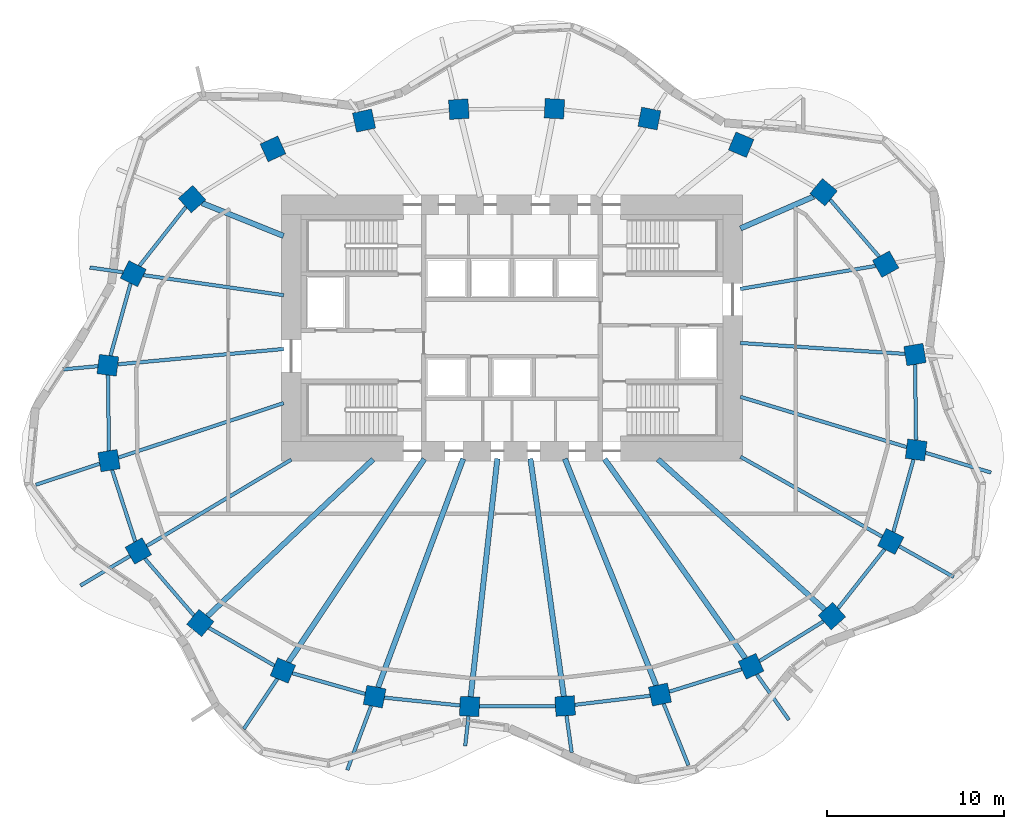
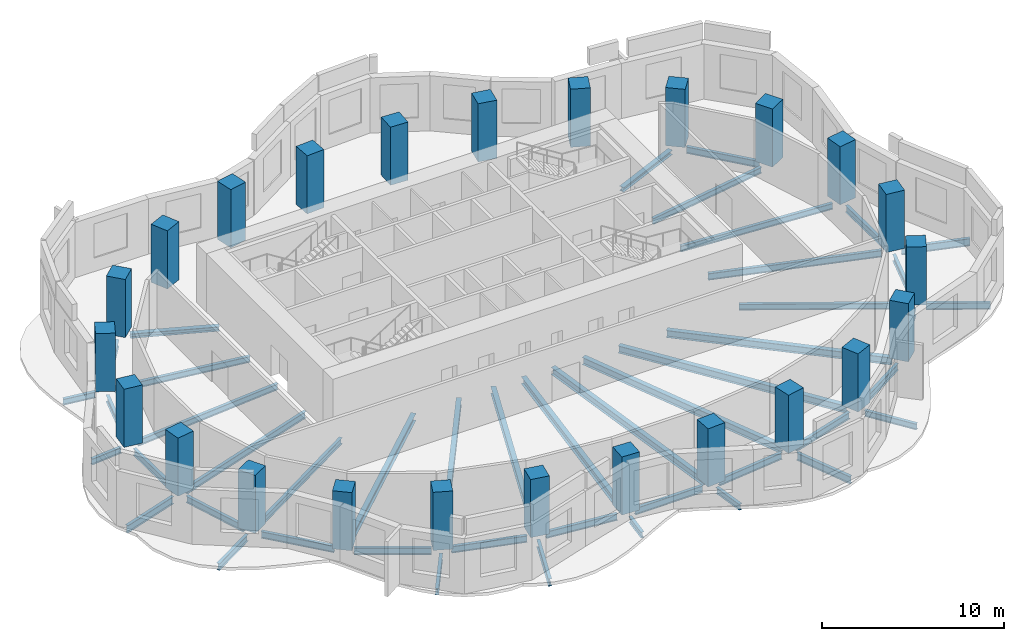
# One storey, part 1 of 8: 46 beams, 24 columns.
"""IFC4 building model written with IfcOpenShell, lengths in metres."""

from ifc_helpers import new_model, si_unit, direction, frame, origin, origin_2d, place, context, subcontext, project, spatial, rectangle, i_section, extrude, material, material_profile, profile_set, type_object, element, save


model = new_model("IFC4")

# Units and contexts
model_context = context("Model", 3, precision=1e-05, world=origin(), true_north=direction((0.0, 1.0)))
body_context = subcontext(model_context, "Body", "Model", "MODEL_VIEW")
ifc_project = project(units=[si_unit("LENGTHUNIT", "METRE"), si_unit("AREAUNIT", "SQUARE_METRE"), si_unit("VOLUMEUNIT", "CUBIC_METRE"), si_unit("PLANEANGLEUNIT", "RADIAN"), si_unit("MASSUNIT", "GRAM", prefix="KILO")], contexts=[model_context])

# Site, building, storey
site_placement = place(None, origin())
site = spatial("IfcSite", under=ifc_project, at=site_placement, CompositionType="ELEMENT")
building_placement = place(site_placement, origin())
building = spatial("IfcBuilding", under=site, at=building_placement, Name="Rubra Terraces Tower", CompositionType="ELEMENT")
storey_placement = place(building_placement, frame((0.0, 0.0, 150.0)))
storey = spatial("IfcBuildingStorey", under=building, at=storey_placement, Name="L36", CompositionType="ELEMENT", Elevation=150.0)

# Columns
ifc_material_1 = material(Name="Concrete C50", Category="concrete")
ifc_material_profile_1 = material_profile(ifc_material_1, rectangle(XDim=1.10009765625, YDim=1.10009765625, at=origin_2d()), Name="RC 1100x1100")
ifc_profile_set_1 = profile_set([ifc_material_profile_1], Name="Concrete C50")
column_type = type_object("IfcColumnType", Name="RING COLUMN RC 1100x1100 C50", PredefinedType="COLUMN", material=ifc_profile_set_1)
for number, where, z_axis, x_axis, name in (
    (1, (22.73388671875, 2.992919921875, 0.0), (0.0, 0.0, 1.0), (-0.162062155721, 0.986780551938, 0.0), "column-L36-ring-01"),
    (2, (21.0810546875, 8.090087890625, 0.0), (0.0, 0.0, 1.0), (-0.490161823029, 0.8716314515, 0.0), "column-L36-ring-02"),
    (3, (17.583984375, 12.15087890625, 0.0), (0.0, 0.0, 1.0), (-0.770679191336, 0.637223339216, 0.0), "column-L36-ring-03"),
    (4, (12.927001953125, 14.83203125, 0.0), (0.0, 0.0, 1.0), (-0.92110553102, 0.389312985558, 0.0), "column-L36-ring-04"),
    (5, (7.7509765625, 16.306884765625, 0.0), (0.0, 0.0, 1.0), (-0.981936574306, 0.189210369799, 0.0), "column-L36-ring-05"),
    (6, (2.39208984375, 16.862060546875, 0.0), (0.0, 0.0, 1.0), (-0.998791416829, 0.049149828786, 0.0), "column-L36-ring-06"),
    (7, (-2.9990234375, 16.8359375, 0.0), (0.0, 0.0, 1.0), (-0.998059443319, -0.062268351524, 0.0), "column-L36-ring-07"),
    (8, (-8.346923828125, 16.19189453125, 0.0), (0.0, 0.0, 1.0), (-0.977944102772, -0.208866780156, 0.0), "column-L36-ring-08"),
    (9, (-13.487060546875, 14.595947265625, 0.0), (0.0, 0.0, 1.0), (-0.90972649622, -0.415208022652, 0.0), "column-L36-ring-09"),
    (10, (-18.051025390625, 11.762939453125, 0.0), (0.0, 0.0, 1.0), (-0.7456420961, -0.66634665492, 0.0), "column-L36-ring-10"),
    (11, (-21.366943359375, 7.553955078125, 0.0), (0.0, 0.0, 1.0), (-0.452078869866, -0.891977968013, 0.0), "column-L36-ring-11"),
    (12, (-22.802001953125, 2.388916015625, 0.0), (0.0, 0.0, 1.0), (-0.128535191473, -0.991704948336, 0.0), "column-L36-ring-12"),
    (13, (-22.73388671875, -2.992919921875, 0.0), (0.0, 0.0, 1.0), (0.162062155721, -0.986780551938, 0.0), "column-L36-ring-13"),
    (14, (-21.0810546875, -8.090087890625, 0.0), (0.0, 0.0, 1.0), (0.490161823029, -0.8716314515, 0.0), "column-L36-ring-14"),
    (15, (-17.583984375, -12.15087890625, 0.0), (0.0, 0.0, 1.0), (0.770679191336, -0.637223339216, 0.0), "column-L36-ring-15"),
    (16, (-12.927001953125, -14.83203125, 0.0), (0.0, 0.0, 1.0), (0.92110553102, -0.389312985558, 0.0), "column-L36-ring-16"),
    (17, (-7.7509765625, -16.306884765625, 0.0), (0.0, 0.0, 1.0), (0.981936574306, -0.189210369799, 0.0), "column-L36-ring-17"),
    (18, (-2.39208984375, -16.862060546875, 0.0), (0.0, 0.0, 1.0), (0.998791416829, -0.049149828786, 0.0), "column-L36-ring-18"),
    (19, (2.9990234375, -16.8359375, 0.0), (0.0, 0.0, 1.0), (0.998059443319, 0.062268351524, 0.0), "column-L36-ring-19"),
    (20, (8.346923828125, -16.19189453125, 0.0), (0.0, 0.0, 1.0), (0.977944102772, 0.208866780156, 0.0), "column-L36-ring-20"),
    (21, (13.487060546875, -14.595947265625, 0.0), (0.0, 0.0, 1.0), (0.90972649622, 0.415208022652, 0.0), "column-L36-ring-21"),
    (22, (18.051025390625, -11.762939453125, 0.0), (0.0, 0.0, 1.0), (0.7456420961, 0.66634665492, 0.0), "column-L36-ring-22"),
    (23, (21.366943359375, -7.553955078125, 0.0), (0.0, 0.0, 1.0), (0.452078869866, 0.891977968013, 0.0), "column-L36-ring-23"),
    (24, (22.802001953125, -2.388916015625, 0.0), (0.0, 0.0, 1.0), (0.128535191473, 0.991704948336, 0.0), "column-L36-ring-24"),
):
    element("IfcColumn", number, at=place(storey_placement, frame(where, z_axis=z_axis, x_axis=x_axis)), inside=storey, type_object=column_type, Name=name, PredefinedType="COLUMN", context=body_context, shape_type="SweptSolid", body=[
        extrude(rectangle(XDim=1.10009765625, YDim=1.10009765625, at=origin_2d()), origin(), (0.0, 0.0, 1.0), 3.89990234375),
    ])

# Beams
ifc_material_2 = material(Name="Steel Q355B", Category="steel")
ifc_material_profile_2 = material_profile(ifc_material_2, i_section(OverallWidth=0.199951171875, OverallDepth=0.39990234375, WebThickness=0.008056640625, FlangeThickness=0.012939453125, at=origin_2d()), Name="HN 400x200x8x13")
ifc_profile_set_2 = profile_set([ifc_material_profile_2], Name="Steel Q355B")
beam_type_1 = type_object("IfcBeamType", Name="CANTILEVER BEAM HN 400x200x8x13", PredefinedType="BEAM", material=ifc_profile_set_2)
beam_1_placement = place(storey_placement, frame((-21.94189453125, 7.635986328125, -0.39990234375), z_axis=(-0.989957217172, 0.14136728111, 0.0), x_axis=(-0.14136728111, -0.989957217172, 0.0)))
element("IfcBeam", 25, at=beam_1_placement, inside=storey, type_object=beam_type_1, Name="beam-L36-cant-11", PredefinedType="BEAM", context=body_context, shape_type="SweptSolid", body=[
    extrude(i_section(OverallWidth=0.199951171875, OverallDepth=0.39990234375, WebThickness=0.008056640625, FlangeThickness=0.012939453125, at=origin_2d()), origin(), (0.0, 0.0, 1.0), 1.896240234375),
])
beam_2_placement = place(storey_placement, frame((-23.363037109375, 2.3369140625, -0.39990234375), z_axis=(-0.995740464774, -0.092200470777, 0.0), x_axis=(0.092200470777, -0.995740464774, 0.0)))
element("IfcBeam", 26, at=beam_2_placement, inside=storey, type_object=beam_type_1, Name="beam-L36-cant-12", PredefinedType="BEAM", context=body_context, shape_type="SweptSolid", body=[
    extrude(i_section(OverallWidth=0.199951171875, OverallDepth=0.39990234375, WebThickness=0.008056640625, FlangeThickness=0.012939453125, at=origin_2d()), origin(), (0.0, 0.0, 1.0), 1.9833984375),
])
beam_3_placement = place(storey_placement, frame((-2.452880859375, -17.409912109375, -0.39990234375), z_axis=(-0.111841087875, -0.99372610465, 0.0), x_axis=(0.99372610465, -0.111841087875, 0.0)))
element("IfcBeam", 27, at=beam_3_placement, inside=storey, type_object=beam_type_1, Name="beam-L36-cant-18", PredefinedType="BEAM", context=body_context, shape_type="SweptSolid", body=[
    extrude(i_section(OverallWidth=0.199951171875, OverallDepth=0.39990234375, WebThickness=0.008056640625, FlangeThickness=0.012939453125, at=origin_2d()), origin(), (0.0, 0.0, 1.0), 1.691650390625),
])
beam_4_placement = place(storey_placement, frame((3.075927734375, -17.382080078125, -0.39990234375), z_axis=(0.138892400729, -0.990307478019, 0.0), x_axis=(0.990307478019, 0.138892400729, 0.0)))
element("IfcBeam", 28, at=beam_4_placement, inside=storey, type_object=beam_type_1, Name="beam-L36-cant-19", PredefinedType="BEAM", context=body_context, shape_type="SweptSolid", body=[
    extrude(i_section(OverallWidth=0.199951171875, OverallDepth=0.39990234375, WebThickness=0.008056640625, FlangeThickness=0.012939453125, at=origin_2d()), origin(), (0.0, 0.0, 1.0), 2.09521484375),
])
beam_5_placement = place(storey_placement, frame((13.81005859375, -15.052978515625, -0.39990234375), z_axis=(0.576664894768, -0.816980782603, 0.0), x_axis=(0.816980782603, 0.576664894768, 0.0)))
element("IfcBeam", 29, at=beam_5_placement, inside=storey, type_object=beam_type_1, Name="beam-L36-cant-21", PredefinedType="BEAM", context=body_context, shape_type="SweptSolid", body=[
    extrude(i_section(OverallWidth=0.199951171875, OverallDepth=0.39990234375, WebThickness=0.008056640625, FlangeThickness=0.012939453125, at=origin_2d()), origin(), (0.0, 0.0, 1.0), 3.142333984375),
])
ifc_material_profile_3 = material_profile(ifc_material_2, i_section(OverallWidth=0.198974609375, OverallDepth=0.446044921875, WebThickness=0.008056640625, FlangeThickness=0.011962890625, at=origin_2d()), Name="HN 446x199x8x12")
ifc_profile_set_3 = profile_set([ifc_material_profile_3], Name="Steel Q355B")
beam_type_2 = type_object("IfcBeamType", Name="CANTILEVER BEAM HN 446x199x8x12", PredefinedType="BEAM", material=ifc_profile_set_3)
beam_6_placement = place(storey_placement, frame((-21.552978515625, -8.3720703125, -0.423095703125), z_axis=(-0.858497399832, -0.512817915523, 0.0), x_axis=(0.512817915523, -0.858497399832, 0.0)))
element("IfcBeam", 30, at=beam_6_placement, inside=storey, type_object=beam_type_2, Name="beam-L36-cant-14", PredefinedType="BEAM", context=body_context, shape_type="SweptSolid", body=[
    extrude(i_section(OverallWidth=0.198974609375, OverallDepth=0.446044921875, WebThickness=0.008056640625, FlangeThickness=0.011962890625, at=origin_2d()), origin(), (0.0, 0.0, 1.0), 3.25439453125),
])
beam_7_placement = place(storey_placement, frame((-13.238037109375, -15.298095703125, -0.423095703125), z_axis=(-0.556154412796, -0.831078978875, 0.0), x_axis=(0.831078978875, -0.556154412796, 0.0)))
element("IfcBeam", 31, at=beam_7_placement, inside=storey, type_object=beam_type_2, Name="beam-L36-cant-16", PredefinedType="BEAM", context=body_context, shape_type="SweptSolid", body=[
    extrude(i_section(OverallWidth=0.198974609375, OverallDepth=0.446044921875, WebThickness=0.008056640625, FlangeThickness=0.011962890625, at=origin_2d()), origin(), (0.0, 0.0, 1.0), 3.407470703125),
])
beam_8_placement = place(storey_placement, frame((21.846923828125, -7.824951171875, -0.423095703125), z_axis=(0.870998946477, -0.491284881953, 0.0), x_axis=(0.491284881953, 0.870998946477, 0.0)))
element("IfcBeam", 32, at=beam_8_placement, inside=storey, type_object=beam_type_2, Name="beam-L36-cant-23", PredefinedType="BEAM", context=body_context, shape_type="SweptSolid", body=[
    extrude(i_section(OverallWidth=0.198974609375, OverallDepth=0.446044921875, WebThickness=0.008056640625, FlangeThickness=0.011962890625, at=origin_2d()), origin(), (0.0, 0.0, 1.0), 3.53173828125),
])
ifc_material_profile_4 = material_profile(ifc_material_2, i_section(OverallWidth=0.198974609375, OverallDepth=0.49609375, WebThickness=0.009033203125, FlangeThickness=0.013916015625, at=origin_2d()), Name="HN 496x199x9x14")
ifc_profile_set_4 = profile_set([ifc_material_profile_4], Name="Steel Q355B")
beam_type_3 = type_object("IfcBeamType", Name="CANTILEVER BEAM HN 496x199x9x14", PredefinedType="BEAM", material=ifc_profile_set_4)
beam_9_placement = place(storey_placement, frame((-23.262939453125, -3.1669921875, -0.447998046875), z_axis=(-0.9497331334, -0.313060657575, 0.0), x_axis=(0.313060657575, -0.9497331334, 0.0)))
element("IfcBeam", 33, at=beam_9_placement, inside=storey, type_object=beam_type_3, Name="beam-L36-cant-13", PredefinedType="BEAM", context=body_context, shape_type="SweptSolid", body=[
    extrude(i_section(OverallWidth=0.198974609375, OverallDepth=0.49609375, WebThickness=0.009033203125, FlangeThickness=0.013916015625, at=origin_2d()), origin(), (0.0, 0.0, 1.0), 3.794677734375),
])
beam_10_placement = place(storey_placement, frame((-7.946044921875, -16.830078125, -0.447998046875), z_axis=(-0.34900656009, -0.937120280975, 0.0), x_axis=(0.937120280975, -0.34900656009, 0.0)))
element("IfcBeam", 34, at=beam_10_placement, inside=storey, type_object=beam_type_3, Name="beam-L36-cant-17", PredefinedType="BEAM", context=body_context, shape_type="SweptSolid", body=[
    extrude(i_section(OverallWidth=0.198974609375, OverallDepth=0.49609375, WebThickness=0.009033203125, FlangeThickness=0.013916015625, at=origin_2d()), origin(), (0.0, 0.0, 1.0), 3.8564453125),
])
beam_11_placement = place(storey_placement, frame((8.555908203125, -16.7099609375, -0.447998046875), z_axis=(0.374103362082, -0.927387014401, 0.0), x_axis=(0.927387014401, 0.374103362082, 0.0)))
element("IfcBeam", 35, at=beam_11_placement, inside=storey, type_object=beam_type_3, Name="beam-L36-cant-20", PredefinedType="BEAM", context=body_context, shape_type="SweptSolid", body=[
    extrude(i_section(OverallWidth=0.198974609375, OverallDepth=0.49609375, WebThickness=0.009033203125, FlangeThickness=0.013916015625, at=origin_2d()), origin(), (0.0, 0.0, 1.0), 3.737548828125),
])
beam_12_placement = place(storey_placement, frame((23.3359375, -2.550048828125, -0.447998046875), z_axis=(0.957272539744, -0.289187283006, 0.0), x_axis=(0.289187283006, 0.957272539744, 0.0)))
element("IfcBeam", 36, at=beam_12_placement, inside=storey, type_object=beam_type_3, Name="beam-L36-cant-24", PredefinedType="BEAM", context=body_context, shape_type="SweptSolid", body=[
    extrude(i_section(OverallWidth=0.198974609375, OverallDepth=0.49609375, WebThickness=0.009033203125, FlangeThickness=0.013916015625, at=origin_2d()), origin(), (0.0, 0.0, 1.0), 3.85888671875),
])
ifc_material_profile_5 = material_profile(ifc_material_2, i_section(OverallWidth=0.300048828125, OverallDepth=0.48193359375, WebThickness=0.010986328125, FlangeThickness=0.014892578125, at=origin_2d()), Name="HM 482x300x11x15")
ifc_profile_set_5 = profile_set([ifc_material_profile_5], Name="Steel Q355B")
beam_type_4 = type_object("IfcBeamType", Name="FLOOR BEAM HM 482x300x11x15", PredefinedType="BEAM", material=ifc_profile_set_5)
beam_13_placement = place(storey_placement, frame((-17.181884765625, -11.77001953125, -0.44091796875), z_axis=(0.726100153208, 0.687588952436, 0.0), x_axis=(-0.687588952436, 0.726100153208, 0.0)))
element("IfcBeam", 37, at=beam_13_placement, inside=storey, type_object=beam_type_4, Name="beam-L36-floor-15", PredefinedType="BEAM", context=body_context, shape_type="SweptSolid", body=[
    extrude(i_section(OverallWidth=0.300048828125, OverallDepth=0.48193359375, WebThickness=0.010986328125, FlangeThickness=0.014892578125, at=origin_2d()), origin(), (0.0, 0.0, 1.0), 12.87548828125),
])
beam_14_placement = place(storey_placement, frame((-12.615966796875, -14.365966796875, -0.44091796875), z_axis=(0.555900449773, 0.831248873649, 0.0), x_axis=(-0.831248873649, 0.555900449773, 0.0)))
element("IfcBeam", 38, at=beam_14_placement, inside=storey, type_object=beam_type_4, Name="beam-L36-floor-16", PredefinedType="BEAM", context=body_context, shape_type="SweptSolid", body=[
    extrude(i_section(OverallWidth=0.300048828125, OverallDepth=0.48193359375, WebThickness=0.010986328125, FlangeThickness=0.014892578125, at=origin_2d()), origin(), (0.0, 0.0, 1.0), 13.793701171875),
])
beam_15_placement = place(storey_placement, frame((-7.555908203125, -15.783935546875, -0.44091796875), z_axis=(0.349081226263, 0.937092470075, 0.0), x_axis=(-0.937092470075, 0.349081226263, 0.0)))
element("IfcBeam", 39, at=beam_15_placement, inside=storey, type_object=beam_type_4, Name="beam-L36-floor-17", PredefinedType="BEAM", context=body_context, shape_type="SweptSolid", body=[
    extrude(i_section(OverallWidth=0.300048828125, OverallDepth=0.48193359375, WebThickness=0.010986328125, FlangeThickness=0.014892578125, at=origin_2d()), origin(), (0.0, 0.0, 1.0), 13.76171875),
])
beam_16_placement = place(storey_placement, frame((-2.3310546875, -16.31396484375, -0.44091796875), z_axis=(0.111351311584, 0.993781105379, 0.0), x_axis=(-0.993781105379, 0.111351311584, 0.0)))
element("IfcBeam", 40, at=beam_16_placement, inside=storey, type_object=beam_type_4, Name="beam-L36-floor-18", PredefinedType="BEAM", context=body_context, shape_type="SweptSolid", body=[
    extrude(i_section(OverallWidth=0.300048828125, OverallDepth=0.48193359375, WebThickness=0.010986328125, FlangeThickness=0.014892578125, at=origin_2d()), origin(), (0.0, 0.0, 1.0), 13.516845703125),
])
beam_17_placement = place(storey_placement, frame((2.922119140625, -16.2900390625, -0.44091796875), z_axis=(-0.139139078011, 0.990272849759, 0.0), x_axis=(-0.990272849759, -0.139139078011, 0.0)))
element("IfcBeam", 41, at=beam_17_placement, inside=storey, type_object=beam_type_4, Name="beam-L36-floor-19", PredefinedType="BEAM", context=body_context, shape_type="SweptSolid", body=[
    extrude(i_section(OverallWidth=0.300048828125, OverallDepth=0.48193359375, WebThickness=0.010986328125, FlangeThickness=0.014892578125, at=origin_2d()), origin(), (0.0, 0.0, 1.0), 13.54052734375),
])
beam_18_placement = place(storey_placement, frame((8.137939453125, -15.674072265625, -0.44091796875), z_axis=(-0.374072995757, 0.927399263449, 0.0), x_axis=(-0.927399263449, -0.374072995757, 0.0)))
element("IfcBeam", 42, at=beam_18_placement, inside=storey, type_object=beam_type_4, Name="beam-L36-floor-20", PredefinedType="BEAM", context=body_context, shape_type="SweptSolid", body=[
    extrude(i_section(OverallWidth=0.300048828125, OverallDepth=0.48193359375, WebThickness=0.010986328125, FlangeThickness=0.014892578125, at=origin_2d()), origin(), (0.0, 0.0, 1.0), 13.7861328125),
])
beam_19_placement = place(storey_placement, frame((13.1640625, -14.138916015625, -0.44091796875), z_axis=(-0.576885242087, 0.816825206187, 0.0), x_axis=(-0.816825206187, -0.576885242087, 0.0)))
element("IfcBeam", 43, at=beam_19_placement, inside=storey, type_object=beam_type_4, Name="beam-L36-floor-21", PredefinedType="BEAM", context=body_context, shape_type="SweptSolid", body=[
    extrude(i_section(OverallWidth=0.300048828125, OverallDepth=0.48193359375, WebThickness=0.010986328125, FlangeThickness=0.014892578125, at=origin_2d()), origin(), (0.0, 0.0, 1.0), 13.756591796875),
])
beam_20_placement = place(storey_placement, frame((17.639892578125, -11.39306640625, -0.44091796875), z_axis=(-0.742946892742, 0.669350367569, 0.0), x_axis=(-0.669350367569, -0.742946892742, 0.0)))
element("IfcBeam", 44, at=beam_20_placement, inside=storey, type_object=beam_type_4, Name="beam-L36-floor-22", PredefinedType="BEAM", context=body_context, shape_type="SweptSolid", body=[
    extrude(i_section(OverallWidth=0.300048828125, OverallDepth=0.48193359375, WebThickness=0.010986328125, FlangeThickness=0.014892578125, at=origin_2d()), origin(), (0.0, 0.0, 1.0), 12.65869140625),
])
ifc_material_profile_6 = material_profile(ifc_material_2, i_section(OverallWidth=0.199951171875, OverallDepth=0.39990234375, WebThickness=0.008056640625, FlangeThickness=0.012939453125, at=origin_2d()), Name="HN 400x200x8x13")
ifc_profile_set_6 = profile_set([ifc_material_profile_6], Name="Steel Q355B")
beam_type_5 = type_object("IfcBeamType", Name="FLOOR BEAM HN 400x200x8x13", PredefinedType="BEAM", material=ifc_profile_set_6)
beam_21_placement = place(storey_placement, frame((22.169921875, 3.030029296875, -0.39990234375), z_axis=(-0.997809110543, 0.0661587403, 0.0), x_axis=(-0.0661587403, -0.997809110543, 0.0)))
element("IfcBeam", 45, at=beam_21_placement, inside=storey, type_object=beam_type_5, Name="beam-L36-floor-01", PredefinedType="BEAM", context=body_context, shape_type="SweptSolid", body=[
    extrude(i_section(OverallWidth=0.199951171875, OverallDepth=0.39990234375, WebThickness=0.008056640625, FlangeThickness=0.012939453125, at=origin_2d()), origin(), (0.0, 0.0, 1.0), 9.310546875),
])
beam_22_placement = place(storey_placement, frame((20.5048828125, 7.991943359375, -0.39990234375), z_axis=(-0.985813612303, -0.167843742209, 0.0), x_axis=(0.167843742209, -0.985813612303, 0.0)))
element("IfcBeam", 46, at=beam_22_placement, inside=storey, type_object=beam_type_5, Name="beam-L36-floor-02", PredefinedType="BEAM", context=body_context, shape_type="SweptSolid", body=[
    extrude(i_section(OverallWidth=0.199951171875, OverallDepth=0.39990234375, WebThickness=0.008056640625, FlangeThickness=0.012939453125, at=origin_2d()), origin(), (0.0, 0.0, 1.0), 7.732421875),
])
beam_23_placement = place(storey_placement, frame((-20.7919921875, 7.471923828125, -0.39990234375), z_axis=(0.989936658262, -0.141511174924, 0.0), x_axis=(0.141511174924, 0.989936658262, 0.0)))
element("IfcBeam", 47, at=beam_23_placement, inside=storey, type_object=beam_type_5, Name="beam-L36-floor-11", PredefinedType="BEAM", context=body_context, shape_type="SweptSolid", body=[
    extrude(i_section(OverallWidth=0.199951171875, OverallDepth=0.39990234375, WebThickness=0.008056640625, FlangeThickness=0.012939453125, at=origin_2d()), origin(), (0.0, 0.0, 1.0), 7.9912109375),
])
beam_24_placement = place(storey_placement, frame((-22.240966796875, 2.44091796875, -0.39990234375), z_axis=(0.995735462061, 0.092254482791, 0.0), x_axis=(-0.092254482791, 0.995735462061, 0.0)))
element("IfcBeam", 48, at=beam_24_placement, inside=storey, type_object=beam_type_5, Name="beam-L36-floor-12", PredefinedType="BEAM", context=body_context, shape_type="SweptSolid", body=[
    extrude(i_section(OverallWidth=0.199951171875, OverallDepth=0.39990234375, WebThickness=0.008056640625, FlangeThickness=0.012939453125, at=origin_2d()), origin(), (0.0, 0.0, 1.0), 9.39990234375),
])
beam_25_placement = place(storey_placement, frame((-20.60888671875, -7.80810546875, -0.39990234375), z_axis=(0.858520950698, 0.51277848747, 0.0), x_axis=(-0.51277848747, 0.858520950698, 0.0)))
element("IfcBeam", 49, at=beam_25_placement, inside=storey, type_object=beam_type_5, Name="beam-L36-floor-14", PredefinedType="BEAM", context=body_context, shape_type="SweptSolid", body=[
    extrude(i_section(OverallWidth=0.199951171875, OverallDepth=0.39990234375, WebThickness=0.008056640625, FlangeThickness=0.012939453125, at=origin_2d()), origin(), (0.0, 0.0, 1.0), 9.49755859375),
])
beam_26_placement = place(storey_placement, frame((20.886962890625, -7.282958984375, -0.39990234375), z_axis=(-0.870988685804, 0.491303072656, 0.0), x_axis=(-0.491303072656, -0.870988685804, 0.0)))
element("IfcBeam", 50, at=beam_26_placement, inside=storey, type_object=beam_type_5, Name="beam-L36-floor-23", PredefinedType="BEAM", context=body_context, shape_type="SweptSolid", body=[
    extrude(i_section(OverallWidth=0.199951171875, OverallDepth=0.39990234375, WebThickness=0.008056640625, FlangeThickness=0.012939453125, at=origin_2d()), origin(), (0.0, 0.0, 1.0), 9.17578125),
])
ifc_material_profile_7 = material_profile(ifc_material_2, i_section(OverallWidth=0.198974609375, OverallDepth=0.446044921875, WebThickness=0.008056640625, FlangeThickness=0.011962890625, at=origin_2d()), Name="HN 446x199x8x12")
ifc_profile_set_7 = profile_set([ifc_material_profile_7], Name="Steel Q355B")
beam_type_6 = type_object("IfcBeamType", Name="FLOOR BEAM HN 446x199x8x12", PredefinedType="BEAM", material=ifc_profile_set_7)
beam_27_placement = place(storey_placement, frame((-22.205078125, -2.819091796875, -0.423095703125), z_axis=(0.949728041792, 0.313076103583, 0.0), x_axis=(-0.313076103583, 0.949728041792, 0.0)))
element("IfcBeam", 51, at=beam_27_placement, inside=storey, type_object=beam_type_6, Name="beam-L36-floor-13", PredefinedType="BEAM", context=body_context, shape_type="SweptSolid", body=[
    extrude(i_section(OverallWidth=0.198974609375, OverallDepth=0.446044921875, WebThickness=0.008056640625, FlangeThickness=0.011962890625, at=origin_2d()), origin(), (0.0, 0.0, 1.0), 9.8125),
])
beam_28_placement = place(storey_placement, frame((22.26806640625, -2.22802734375, -0.423095703125), z_axis=(-0.957261634756, 0.289223378419, 0.0), x_axis=(-0.289223378419, -0.957261634756, 0.0)))
element("IfcBeam", 52, at=beam_28_placement, inside=storey, type_object=beam_type_6, Name="beam-L36-floor-24", PredefinedType="BEAM", context=body_context, shape_type="SweptSolid", body=[
    extrude(i_section(OverallWidth=0.198974609375, OverallDepth=0.446044921875, WebThickness=0.008056640625, FlangeThickness=0.011962890625, at=origin_2d()), origin(), (0.0, 0.0, 1.0), 9.802001953125),
])
ifc_material_profile_8 = material_profile(ifc_material_2, i_section(OverallWidth=0.304931640625, OverallDepth=0.300048828125, WebThickness=0.014892578125, FlangeThickness=0.014892578125, at=origin_2d()), Name="HW 300x305x15x15")
ifc_profile_set_8 = profile_set([ifc_material_profile_8], Name="Steel Q355B")
beam_type_7 = type_object("IfcBeamType", Name="FLOOR BEAM HW 300x305x15x15", PredefinedType="BEAM", material=ifc_profile_set_8)
beam_29_placement = place(storey_placement, frame((17.01806640625, 11.905029296875, -0.35009765625), z_axis=(-0.916965704309, -0.398966035047, 0.0), x_axis=(0.398966035047, -0.916965704309, 0.0)))
element("IfcBeam", 53, at=beam_29_placement, inside=storey, type_object=beam_type_7, Name="beam-L36-floor-03", PredefinedType="BEAM", context=body_context, shape_type="SweptSolid", body=[
    extrude(i_section(OverallWidth=0.304931640625, OverallDepth=0.300048828125, WebThickness=0.014892578125, FlangeThickness=0.014892578125, at=origin_2d()), origin(), (0.0, 0.0, 1.0), 4.501953125),
])
beam_30_placement = place(storey_placement, frame((-17.48193359375, 11.533935546875, -0.35009765625), z_axis=(0.927730023822, -0.373251929533, 0.0), x_axis=(0.373251929533, 0.927730023822, 0.0)))
element("IfcBeam", 54, at=beam_30_placement, inside=storey, type_object=beam_type_7, Name="beam-L36-floor-10", PredefinedType="BEAM", context=body_context, shape_type="SweptSolid", body=[
    extrude(i_section(OverallWidth=0.304931640625, OverallDepth=0.300048828125, WebThickness=0.014892578125, FlangeThickness=0.014892578125, at=origin_2d()), origin(), (0.0, 0.0, 1.0), 4.950927734375),
])
ifc_material_profile_9 = material_profile(ifc_material_2, i_section(OverallWidth=0.198974609375, OverallDepth=0.446044921875, WebThickness=0.008056640625, FlangeThickness=0.011962890625, at=origin_2d()), Name="HN 446x199x8x12")
ifc_profile_set_9 = profile_set([ifc_material_profile_9], Name="Steel Q355B")
beam_type_8 = type_object("IfcBeamType", Name="SPANDREL BEAM HN 446x199x8x12", PredefinedType="SPANDREL", material=ifc_profile_set_9)
beam_31_placement = place(storey_placement, frame((20.715087890625, 8.514892578125, -0.423095703125), z_axis=(-0.65255344008, 0.757742705567, 0.0), x_axis=(-0.757742705567, -0.65255344008, 0.0)))
element("IfcBeam", 55, at=beam_31_placement, inside=storey, type_object=beam_type_8, Name="beam-L36-spandrel-02", PredefinedType="SPANDREL", context=body_context, shape_type="SweptSolid", body=[
    extrude(i_section(OverallWidth=0.198974609375, OverallDepth=0.446044921875, WebThickness=0.008056640625, FlangeThickness=0.011962890625, at=origin_2d()), origin(), (0.0, 0.0, 1.0), 4.240478515625),
])
beam_32_placement = place(storey_placement, frame((-18.39697265625, 11.323974609375, -0.423095703125), z_axis=(-0.618917461688, -0.785456030353, 0.0), x_axis=(0.785456030353, -0.618917461688, 0.0)))
element("IfcBeam", 56, at=beam_32_placement, inside=storey, type_object=beam_type_8, Name="beam-L36-spandrel-10", PredefinedType="SPANDREL", context=body_context, shape_type="SweptSolid", body=[
    extrude(i_section(OverallWidth=0.198974609375, OverallDepth=0.446044921875, WebThickness=0.008056640625, FlangeThickness=0.011962890625, at=origin_2d()), origin(), (0.0, 0.0, 1.0), 4.238037109375),
])
beam_33_placement = place(storey_placement, frame((-21.51708984375, 7.013916015625, -0.423095703125), z_axis=(-0.267626064819, -0.96352285361, 0.0), x_axis=(0.96352285361, -0.267626064819, 0.0)))
element("IfcBeam", 57, at=beam_33_placement, inside=storey, type_object=beam_type_8, Name="beam-L36-spandrel-11", PredefinedType="SPANDREL", context=body_context, shape_type="SweptSolid", body=[
    extrude(i_section(OverallWidth=0.198974609375, OverallDepth=0.446044921875, WebThickness=0.008056640625, FlangeThickness=0.011962890625, at=origin_2d()), origin(), (0.0, 0.0, 1.0), 4.24462890625),
])
beam_34_placement = place(storey_placement, frame((-22.794921875, 1.8330078125, -0.423095703125), z_axis=(0.012634783266, -0.99992017794, 0.0), x_axis=(0.99992017794, 0.012634783266, 0.0)))
element("IfcBeam", 58, at=beam_34_placement, inside=storey, type_object=beam_type_8, Name="beam-L36-spandrel-12", PredefinedType="SPANDREL", context=body_context, shape_type="SweptSolid", body=[
    extrude(i_section(OverallWidth=0.198974609375, OverallDepth=0.446044921875, WebThickness=0.008056640625, FlangeThickness=0.011962890625, at=origin_2d()), origin(), (0.0, 0.0, 1.0), 4.270263671875),
])
beam_35_placement = place(storey_placement, frame((-22.56201171875, -3.52197265625, -0.423095703125), z_axis=(0.308462461648, -0.951236516201, 0.0), x_axis=(0.951236516201, 0.308462461648, 0.0)))
element("IfcBeam", 59, at=beam_35_placement, inside=storey, type_object=beam_type_8, Name="beam-L36-spandrel-13", PredefinedType="SPANDREL", context=body_context, shape_type="SweptSolid", body=[
    extrude(i_section(OverallWidth=0.198974609375, OverallDepth=0.446044921875, WebThickness=0.008056640625, FlangeThickness=0.011962890625, at=origin_2d()), origin(), (0.0, 0.0, 1.0), 4.24072265625),
])
beam_36_placement = place(storey_placement, frame((-20.715087890625, -8.514892578125, -0.423095703125), z_axis=(0.65255344008, -0.757742705567, 0.0), x_axis=(0.757742705567, 0.65255344008, 0.0)))
element("IfcBeam", 60, at=beam_36_placement, inside=storey, type_object=beam_type_8, Name="beam-L36-spandrel-14", PredefinedType="SPANDREL", context=body_context, shape_type="SweptSolid", body=[
    extrude(i_section(OverallWidth=0.198974609375, OverallDepth=0.446044921875, WebThickness=0.008056640625, FlangeThickness=0.011962890625, at=origin_2d()), origin(), (0.0, 0.0, 1.0), 4.240478515625),
])
beam_37_placement = place(storey_placement, frame((-17.10009765625, -12.428955078125, -0.423095703125), z_axis=(0.866560147027, -0.49907265161, 0.0), x_axis=(0.49907265161, 0.866560147027, 0.0)))
element("IfcBeam", 61, at=beam_37_placement, inside=storey, type_object=beam_type_8, Name="beam-L36-spandrel-15", PredefinedType="SPANDREL", context=body_context, shape_type="SweptSolid", body=[
    extrude(i_section(OverallWidth=0.198974609375, OverallDepth=0.446044921875, WebThickness=0.008056640625, FlangeThickness=0.011962890625, at=origin_2d()), origin(), (0.0, 0.0, 1.0), 4.26171875),
])
beam_38_placement = place(storey_placement, frame((-12.39404296875, -14.98388671875, -0.423095703125), z_axis=(0.961693978406, -0.274125321518, 0.0), x_axis=(0.274125321518, 0.961693978406, 0.0)))
element("IfcBeam", 62, at=beam_38_placement, inside=storey, type_object=beam_type_8, Name="beam-L36-spandrel-16", PredefinedType="SPANDREL", context=body_context, shape_type="SweptSolid", body=[
    extrude(i_section(OverallWidth=0.198974609375, OverallDepth=0.446044921875, WebThickness=0.008056640625, FlangeThickness=0.011962890625, at=origin_2d()), origin(), (0.0, 0.0, 1.0), 4.27587890625),
])
beam_39_placement = place(storey_placement, frame((-7.201904296875, -16.364013671875, -0.423095703125), z_axis=(0.994691190497, -0.102904983103, 0.0), x_axis=(0.102904983103, 0.994691190497, 0.0)))
element("IfcBeam", 63, at=beam_39_placement, inside=storey, type_object=beam_type_8, Name="beam-L36-spandrel-17", PredefinedType="SPANDREL", context=body_context, shape_type="SweptSolid", body=[
    extrude(i_section(OverallWidth=0.198974609375, OverallDepth=0.446044921875, WebThickness=0.008056640625, FlangeThickness=0.011962890625, at=origin_2d()), origin(), (0.0, 0.0, 1.0), 4.28466796875),
])
beam_40_placement = place(storey_placement, frame((-1.841064453125, -16.85888671875, -0.423095703125), z_axis=(0.999989371096, 0.004610606731, 0.0), x_axis=(-0.004610606731, 0.999989371096, 0.0)))
element("IfcBeam", 64, at=beam_40_placement, inside=storey, type_object=beam_type_8, Name="beam-L36-spandrel-18", PredefinedType="SPANDREL", context=body_context, shape_type="SweptSolid", body=[
    extrude(i_section(OverallWidth=0.198974609375, OverallDepth=0.446044921875, WebThickness=0.008056640625, FlangeThickness=0.011962890625, at=origin_2d()), origin(), (0.0, 0.0, 1.0), 4.2890625),
])
beam_41_placement = place(storey_placement, frame((3.5458984375, -16.77001953125, -0.423095703125), z_axis=(0.992833084949, 0.119509269223, 0.0), x_axis=(-0.119509269223, 0.992833084949, 0.0)))
element("IfcBeam", 65, at=beam_41_placement, inside=storey, type_object=beam_type_8, Name="beam-L36-spandrel-19", PredefinedType="SPANDREL", context=body_context, shape_type="SweptSolid", body=[
    extrude(i_section(OverallWidth=0.198974609375, OverallDepth=0.446044921875, WebThickness=0.008056640625, FlangeThickness=0.011962890625, at=origin_2d()), origin(), (0.0, 0.0, 1.0), 4.283935546875),
])
beam_42_placement = place(storey_placement, frame((8.8740234375, -16.028076171875, -0.423095703125), z_axis=(0.955002801089, 0.296596780008, 0.0), x_axis=(-0.296596780008, 0.955002801089, 0.0)))
element("IfcBeam", 66, at=beam_42_placement, inside=storey, type_object=beam_type_8, Name="beam-L36-spandrel-20", PredefinedType="SPANDREL", context=body_context, shape_type="SweptSolid", body=[
    extrude(i_section(OverallWidth=0.198974609375, OverallDepth=0.446044921875, WebThickness=0.008056640625, FlangeThickness=0.011962890625, at=origin_2d()), origin(), (0.0, 0.0, 1.0), 4.275390625),
])
beam_43_placement = place(storey_placement, frame((13.9580078125, -14.303955078125, -0.423095703125), z_axis=(0.849549830498, 0.527508374816, 0.0), x_axis=(-0.527508374816, 0.849549830498, 0.0)))
element("IfcBeam", 67, at=beam_43_placement, inside=storey, type_object=beam_type_8, Name="beam-L36-spandrel-21", PredefinedType="SPANDREL", context=body_context, shape_type="SweptSolid", body=[
    extrude(i_section(OverallWidth=0.198974609375, OverallDepth=0.446044921875, WebThickness=0.008056640625, FlangeThickness=0.011962890625, at=origin_2d()), origin(), (0.0, 0.0, 1.0), 4.259765625),
])
beam_44_placement = place(storey_placement, frame((18.39697265625, -11.323974609375, -0.423095703125), z_axis=(0.618917461688, 0.785456030353, 0.0), x_axis=(-0.785456030353, 0.618917461688, 0.0)))
element("IfcBeam", 68, at=beam_44_placement, inside=storey, type_object=beam_type_8, Name="beam-L36-spandrel-22", PredefinedType="SPANDREL", context=body_context, shape_type="SweptSolid", body=[
    extrude(i_section(OverallWidth=0.198974609375, OverallDepth=0.446044921875, WebThickness=0.008056640625, FlangeThickness=0.011962890625, at=origin_2d()), origin(), (0.0, 0.0, 1.0), 4.238037109375),
])
beam_45_placement = place(storey_placement, frame((21.51708984375, -7.013916015625, -0.423095703125), z_axis=(0.267626064819, 0.96352285361, 0.0), x_axis=(-0.96352285361, 0.267626064819, 0.0)))
element("IfcBeam", 69, at=beam_45_placement, inside=storey, type_object=beam_type_8, Name="beam-L36-spandrel-23", PredefinedType="SPANDREL", context=body_context, shape_type="SweptSolid", body=[
    extrude(i_section(OverallWidth=0.198974609375, OverallDepth=0.446044921875, WebThickness=0.008056640625, FlangeThickness=0.011962890625, at=origin_2d()), origin(), (0.0, 0.0, 1.0), 4.24462890625),
])
beam_46_placement = place(storey_placement, frame((22.794921875, -1.8330078125, -0.423095703125), z_axis=(-0.012634783266, 0.99992017794, 0.0), x_axis=(-0.99992017794, -0.012634783266, 0.0)))
element("IfcBeam", 70, at=beam_46_placement, inside=storey, type_object=beam_type_8, Name="beam-L36-spandrel-24", PredefinedType="SPANDREL", context=body_context, shape_type="SweptSolid", body=[
    extrude(i_section(OverallWidth=0.198974609375, OverallDepth=0.446044921875, WebThickness=0.008056640625, FlangeThickness=0.011962890625, at=origin_2d()), origin(), (0.0, 0.0, 1.0), 4.270263671875),
])

save(model, "model.ifc")
